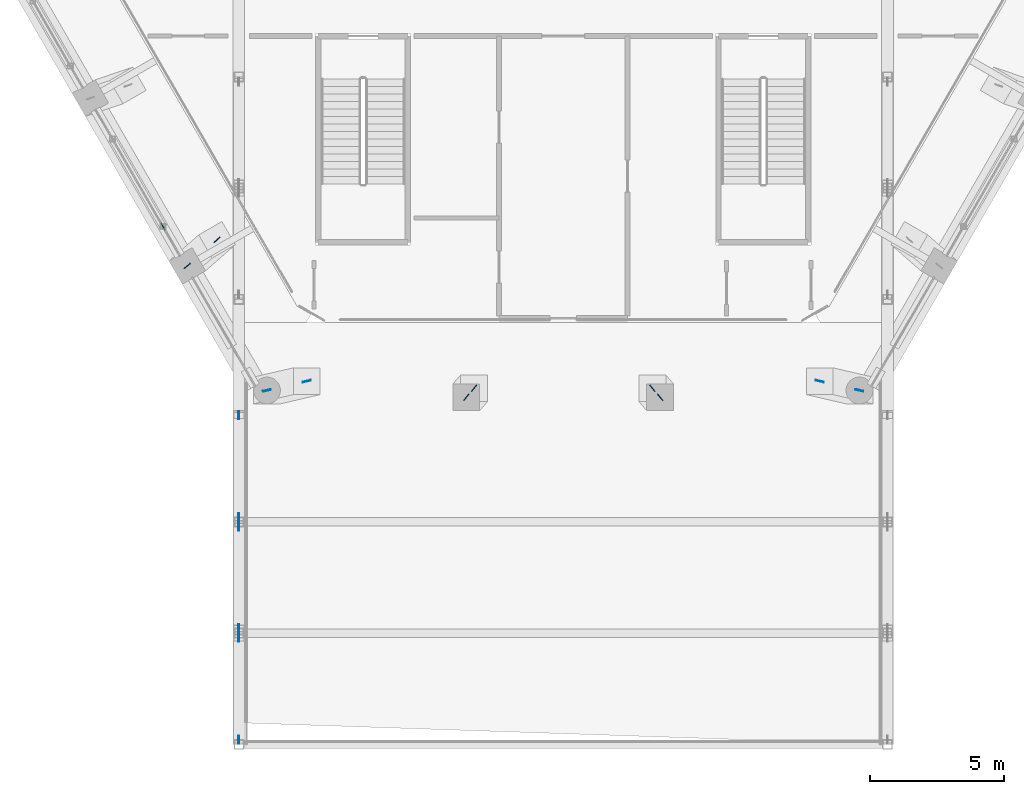
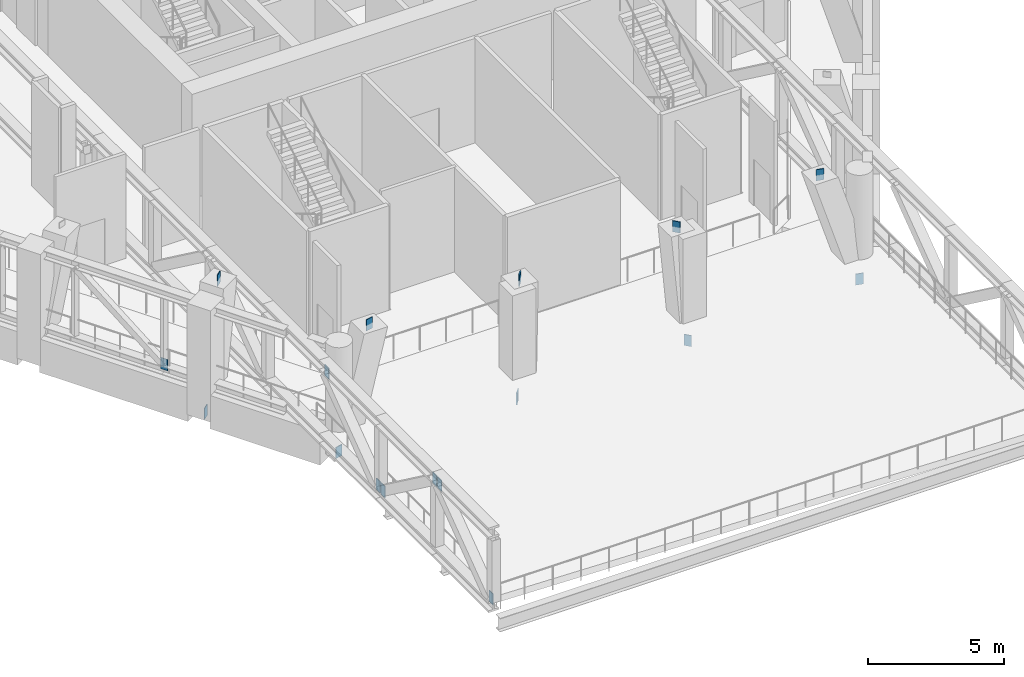
# One storey, part 12 of 22: 17 discrete accessories.
"""IFC4 building model written with IfcOpenShell, lengths in metres."""

from ifc_helpers import new_model, si_unit, direction, frame, origin, origin_2d, place, context, subcontext, project, spatial, rectangle, extrude, material, layer, layer_set, type_object, element, save


model = new_model("IFC4")

# Units and contexts
model_context = context("Model", 3, precision=1e-05, world=origin(), true_north=direction((0.0, 1.0)))
body_context = subcontext(model_context, "Body", "Model", "MODEL_VIEW")
ifc_project = project(units=[si_unit("LENGTHUNIT", "METRE"), si_unit("AREAUNIT", "SQUARE_METRE"), si_unit("VOLUMEUNIT", "CUBIC_METRE"), si_unit("PLANEANGLEUNIT", "RADIAN"), si_unit("MASSUNIT", "GRAM", prefix="KILO")], contexts=[model_context])

# Site, building, storey
site_placement = place(None, origin())
site = spatial("IfcSite", under=ifc_project, at=site_placement, CompositionType="ELEMENT")
building_placement = place(site_placement, origin())
building = spatial("IfcBuilding", under=site, at=building_placement, Name="Ostrander Bayou Hotel Tower", CompositionType="ELEMENT")
storey_placement = place(building_placement, frame((0.0, 0.0, 209.5)))
storey = spatial("IfcBuildingStorey", under=building, at=storey_placement, Name="L52", CompositionType="ELEMENT", Elevation=209.5)

# Discrete accessories
ifc_material = material(Name="Steel ASTM A572 Gr 50", Category="steel")
ifc_layer = layer(ifc_material, 0.030029296875)
ifc_layer_set = layer_set([ifc_layer], Name="GP1 gusset plate 30 mm")
discrete_accessory_type = type_object("IfcDiscreteAccessoryType", Name="GP1 gusset plate 30 mm", PredefinedType="BRACKET", material=ifc_layer_set)
for number, where, z_axis, x_axis, name in (
    (1, (-14.947021484375, -10.810791015625, 0.117919921875), (0.0, 0.0, 1.0), (-0.500015114919, 0.866016677006, 0.0), "GP1 gusset plate belt 39"),
    (2, (-12.110107421875, -21.662841796875, 0.247802734375), (0.0, 0.0, 1.0), (0.0, 1.0, 0.0), "GP1 gusset plate bar 181"),
    (3, (-12.110107421875, -17.863525390625, 3.05224609375), (0.0, 0.0, 1.0), (0.0, 1.0, 0.0), "GP1 gusset plate bar 182"),
    (4, (-12.110107421875, -22.018310546875, 0.247802734375), (0.0, 0.0, 1.0), (0.0, -1.0, 0.0), "GP1 gusset plate bar 183"),
    (5, (-12.110107421875, -25.8173828125, 3.05224609375), (0.0, 0.0, 1.0), (0.0, -1.0, 0.0), "GP1 gusset plate bar 184"),
    (6, (-12.110107421875, -29.97216796875, 0.247802734375), (0.0, 0.0, 1.0), (0.0, 1.0, 0.0), "GP1 gusset plate bar 185"),
    (7, (-12.110107421875, -26.173095703125, 3.05224609375), (0.0, 0.0, 1.0), (0.0, 1.0, 0.0), "GP1 gusset plate bar 186"),
    (8, (-11.06103515625, -16.9326171875, -1.449951171875), (0.0, 0.0, 1.0), (0.974165504425, 0.225835271798, 0.0), "GP1 gusset plate belt 125"),
    (9, (-9.577392578125, -16.588623046875, 3.550048828125), (0.0, 0.0, 1.0), (0.974165504425, 0.225835271798, 0.0), "GP1 gusset plate belt 126"),
    (10, (11.06103515625, -16.9326171875, -1.449951171875), (0.0, 0.0, 1.0), (-0.974165504425, 0.225835271798, 0.0), "GP1 gusset plate belt 127"),
    (11, (9.577392578125, -16.588623046875, 3.550048828125), (0.0, 0.0, 1.0), (-0.974165504425, 0.225835271798, 0.0), "GP1 gusset plate belt 128"),
    (12, (-14.039306640625, -12.283203125, -1.449951171875), (0.0, 0.0, 1.0), (0.751724718475, 0.659477025858, 0.0), "GP1 gusset plate belt 143"),
    (13, (-12.927734375, -11.308349609375, 3.550048828125), (0.0, 0.0, 1.0), (0.751724718475, 0.659477025858, 0.0), "GP1 gusset plate belt 144"),
    (14, (-3.6181640625, -17.187255859375, -1.449951171875), (0.0, 0.0, 1.0), (0.650363316722, 0.75962329892, 0.0), "GP1 gusset plate belt 145"),
    (15, (-3.329345703125, -16.85009765625, 3.550048828125), (0.0, 0.0, 1.0), (0.650363316722, 0.75962329892, 0.0), "GP1 gusset plate belt 146"),
    (16, (3.6181640625, -17.187255859375, -1.449951171875), (0.0, 0.0, 1.0), (-0.650363316722, 0.75962329892, 0.0), "GP1 gusset plate belt 147"),
    (17, (3.329345703125, -16.85009765625, 3.550048828125), (0.0, 0.0, 1.0), (-0.650363316722, 0.75962329892, 0.0), "GP1 gusset plate belt 148"),
):
    element("IfcDiscreteAccessory", number, at=place(storey_placement, frame(where, z_axis=z_axis, x_axis=x_axis)), inside=storey, type_object=discrete_accessory_type, Name=name, PredefinedType="BRACKET", context=body_context, shape_type="SweptSolid", body=[
        extrude(rectangle(XDim=0.300048828125, YDim=0.030029296875, at=origin_2d()), origin(), (0.0, 0.0, 1.0), 0.5),
    ])

save(model, "model.ifc")
